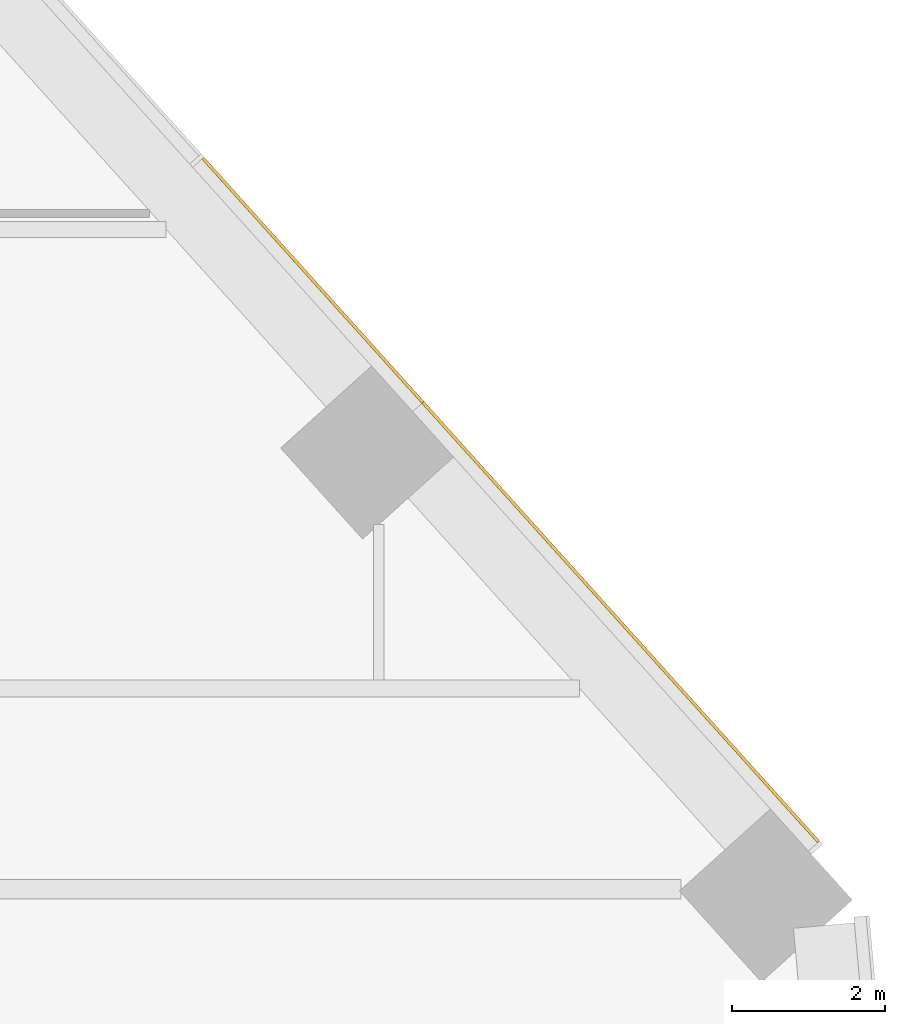
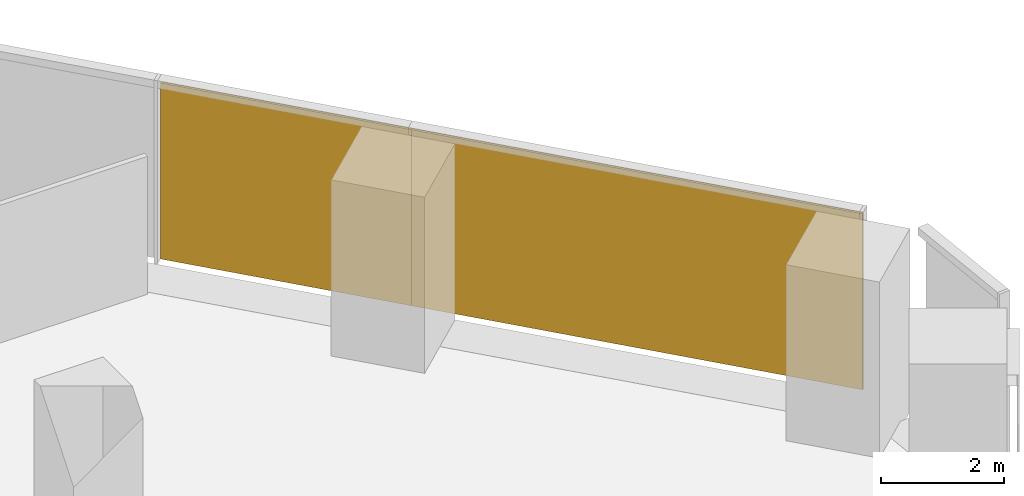
# One storey, part 21 of 21: 2 coverings, 1 element without a shape of its own.
"""IFC4 building model written with IfcOpenShell, lengths in metres."""

from ifc_helpers import new_model, si_unit, direction, frame, origin, origin_2d, place, context, subcontext, project, spatial, rectangle, extrude, material, layer, layer_set, type_object, element, aggregate, save


model = new_model("IFC4")

# Units and contexts
model_context = context("Model", 3, precision=1e-05, world=origin(), true_north=direction((0.0, 1.0)))
body_context = subcontext(model_context, "Body", "Model", "MODEL_VIEW")
ifc_project = project(units=[si_unit("LENGTHUNIT", "METRE"), si_unit("AREAUNIT", "SQUARE_METRE"), si_unit("VOLUMEUNIT", "CUBIC_METRE"), si_unit("PLANEANGLEUNIT", "RADIAN"), si_unit("MASSUNIT", "GRAM", prefix="KILO")], contexts=[model_context])

# Site, building, storey
site_placement = place(None, origin())
site = spatial("IfcSite", under=ifc_project, at=site_placement, CompositionType="ELEMENT")
building_placement = place(site_placement, origin())
building = spatial("IfcBuilding", under=site, at=building_placement, Name="Isthmus Gate Tower", CompositionType="ELEMENT")
storey_placement = place(building_placement, frame((0.0, 0.0, 102.550048828125)))
storey = spatial("IfcBuildingStorey", under=building, at=storey_placement, Name="L24", CompositionType="ELEMENT", Elevation=102.550048828125)

# Curtain wall, coverings
ifc_material_1 = material(Name="Aluminium, pale champagne anodised", Category="aluminium")
ifc_layer_1 = layer(ifc_material_1, 0.199951171875)
ifc_layer_set_1 = layer_set([ifc_layer_1], Name="CW-1 UNITISED CURTAIN WALL 200 DEEP")
curtain_wall_type = type_object("IfcCurtainWallType", Name="CW-1 UNITISED CURTAIN WALL 200 DEEP", PredefinedType="NOTDEFINED", material=ifc_layer_set_1)
curtain_wall_placement = place(storey_placement, origin())
curtain_wall = element("IfcCurtainWall", 1, at=curtain_wall_placement, inside=storey, type_object=curtain_wall_type, Name="CW-1 NE L24", PredefinedType="NOTDEFINED")
ifc_material_2 = material(Name="Aluminium composite panel, pale champagne anodised", Category="aluminium")
ifc_layer_2 = layer(ifc_material_2, 0.0400390625)
ifc_layer_set_2 = layer_set([ifc_layer_2], Name="CW-1 PALE METAL PANEL 40")
covering_type = type_object("IfcCoveringType", Name="CW-1 PALE METAL PANEL 40", PredefinedType="CLADDING", material=ifc_layer_set_2)
covering_1_placement = place(storey_placement, frame((34.826904296875, 8.367919921875, 0.0), z_axis=(0.0, 0.0, 1.0), x_axis=(-0.669130606359, 0.743144825477, 0.0)))
covering_1 = element("IfcCovering", 2, at=covering_1_placement, type_object=covering_type, Name="CW-1 pale metal panel", PredefinedType="CLADDING", context=body_context, shape_type="SweptSolid", body=[
    extrude(rectangle(XDim=7.729248046875, YDim=0.0400390625, at=origin_2d()), origin(), (0.0, 0.0, 1.0), 3.5),
])
covering_2_placement = place(storey_placement, frame((30.80419921875, 12.835693359375, 0.0), z_axis=(0.0, 0.0, 1.0), x_axis=(-0.669130606359, 0.743144825477, 0.0)))
covering_2 = element("IfcCovering", 3, at=covering_2_placement, type_object=covering_type, Name="CW-1 pale metal panel", PredefinedType="CLADDING", context=body_context, shape_type="SweptSolid", body=[
    extrude(rectangle(XDim=4.294677734375, YDim=0.0400390625, at=origin_2d()), origin(), (0.0, 0.0, 1.0), 3.5),
])
aggregate(curtain_wall, [covering_1, covering_2])

save(model, "model.ifc")
